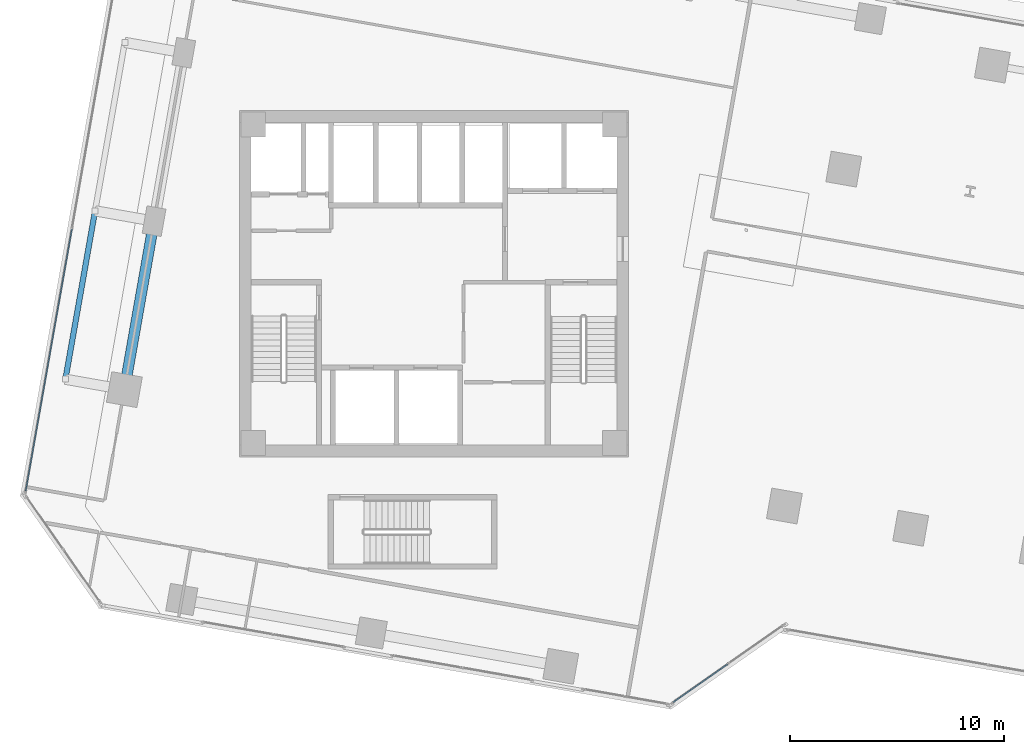
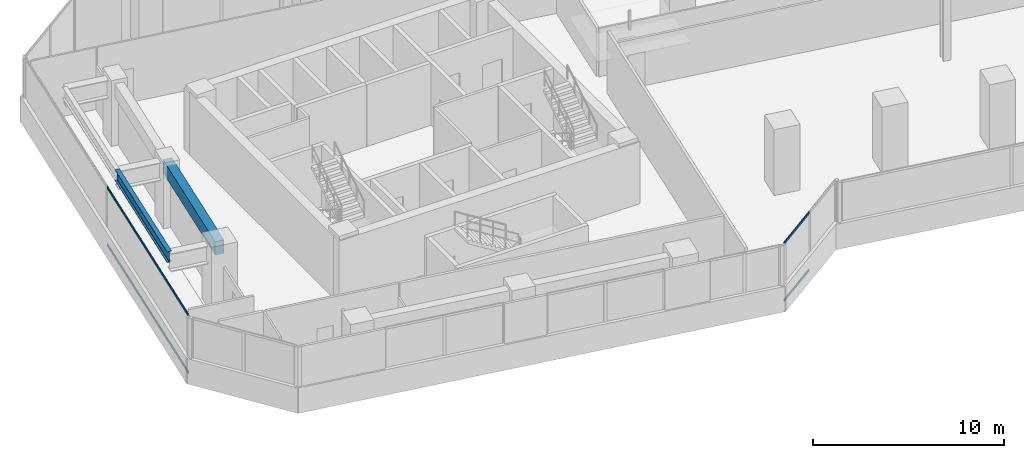
# One storey, part 5 of 24: 4 members, 2 beams, 2 elements without a shape of their own.
"""IFC4 building model written with IfcOpenShell, lengths in metres."""

from ifc_helpers import new_model, si_unit, direction, frame, origin, origin_2d, place, context, subcontext, project, spatial, rectangle, hollow_rectangle, i_section, extrude, source, transform, mapped, material, material_profile, profile_set, type_object, element, aggregate, save


model = new_model("IFC4")

# Units and contexts
model_context = context("Model", 3, precision=1e-05, world=origin(), true_north=direction((0.0, 1.0)))
body_context = subcontext(model_context, "Body", "Model", "MODEL_VIEW")
ifc_project = project(units=[si_unit("LENGTHUNIT", "METRE"), si_unit("AREAUNIT", "SQUARE_METRE"), si_unit("VOLUMEUNIT", "CUBIC_METRE"), si_unit("PLANEANGLEUNIT", "RADIAN"), si_unit("MASSUNIT", "GRAM", prefix="KILO")], contexts=[model_context])

# Site, building, storey
site_placement = place(None, origin())
site = spatial("IfcSite", under=ifc_project, at=site_placement, CompositionType="ELEMENT")
building_placement = place(site_placement, origin())
building = spatial("IfcBuilding", under=site, at=building_placement, Name="Torre Montelarca", CompositionType="ELEMENT")
storey_placement = place(building_placement, frame((0.0, 0.0, 74.800048828125)))
storey = spatial("IfcBuildingStorey", under=building, at=storey_placement, Name="L16", CompositionType="ELEMENT", Elevation=74.800048828125)

# Beams
ifc_material_1 = material(Name="Concrete C55/67", Category="concrete")
ifc_material_profile_1 = material_profile(ifc_material_1, rectangle(XDim=0.5, YDim=0.85009765625, at=origin_2d()), Name="RCB500X850", Category="concrete")
ifc_profile_set_1 = profile_set([ifc_material_profile_1], Name="Concrete C55/67")
beam_type_1 = type_object("IfcBeamType", Name="BM-SP-RC850-EXT", PredefinedType="SPANDREL", material=ifc_profile_set_1)
shared_shape_1 = source(origin(), body_context, "Body", "SweptSolid", [
    extrude(rectangle(XDim=0.5, YDim=0.85009765625, at=origin_2d()), origin(), (0.0, 0.0, 1.0), 8.0),
])
beam_1_placement = place(storey_placement, frame((3.516845703125, 27.047607421875, 3.534912109375), z_axis=(0.173646056486, 0.984808127031, 0.0), x_axis=(-0.984808127031, 0.173646056486, 0.0)))
element("IfcBeam", 1, at=beam_1_placement, inside=storey, type_object=beam_type_1, Name="L16 Grid Girder Y 24.0-32.0 at X=4.7", PredefinedType="SPANDREL", context=body_context, shape_type="MappedRepresentation", body=[
    mapped(shared_shape_1, transform((0.0, 0.0, 0.0), scale=1.0)),
])
ifc_material_2 = material(Name="Steel ASTM A992 Grade 50", Category="steel")
ifc_material_profile_2 = material_profile(ifc_material_2, i_section(OverallWidth=0.256103515625, OverallDepth=0.693115234375, WebThickness=0.014404296875, FlangeThickness=0.023681640625, FilletRadius=0.01806640625, at=origin_2d()), Name="W690X170", Category="steel")
ifc_profile_set_2 = profile_set([ifc_material_profile_2], Name="Steel ASTM A992 Grade 50")
beam_type_2 = type_object("IfcBeamType", Name="BM-G-W690-EXT", PredefinedType="BEAM", material=ifc_profile_set_2)
shared_shape_2 = source(origin(), body_context, "Body", "SweptSolid", [
    extrude(i_section(OverallWidth=0.256103515625, OverallDepth=0.693115234375, WebThickness=0.014404296875, FlangeThickness=0.023681640625, FilletRadius=0.01806640625, at=origin_2d()), origin(), (0.0, 0.0, 1.0), 8.0),
])
beam_2_placement = place(storey_placement, frame((0.75927734375, 27.53369140625, 3.614013671875), z_axis=(0.173646056486, 0.984808127031, 0.0), x_axis=(-0.984808127031, 0.173646056486, 0.0)))
element("IfcBeam", 2, at=beam_2_placement, inside=storey, type_object=beam_type_2, Name="L16 Sliding Tray Edge Girder West 24.0-32.0m (FLR)", PredefinedType="BEAM", context=body_context, shape_type="MappedRepresentation", body=[
    mapped(shared_shape_2, transform((0.0, 0.0, 0.0), scale=1.0)),
])

# Curtain wall, members
ifc_material_3 = material(Name="Insulated low-E laminated glass", Category="glass")
curtain_wall_type = type_object("IfcCurtainWallType", Name="CW-SYS-Z1", PredefinedType="USERDEFINED", material=ifc_material_3)
curtain_wall_1_placement = place(storey_placement, origin())
curtain_wall_1 = element("IfcCurtainWall", 3, at=curtain_wall_1_placement, inside=storey, type_object=curtain_wall_type, Name="L16 Curtain Wall Run CW-T3-L16-E02-B1", ObjectType="UNITISED GLAZING", PredefinedType="USERDEFINED")
ifc_material_4 = material(Name="Anodised aluminium AA 6063-T6", Category="aluminium")
ifc_material_profile_3 = material_profile(ifc_material_4, hollow_rectangle(XDim=0.06494140625, YDim=0.139892578125, WallThickness=0.00390625, InnerFilletRadius=0.00390625, OuterFilletRadius=0.008056640625, at=origin_2d()), Name="ALU65X140X4", Category="aluminium")
ifc_profile_set_3 = profile_set([ifc_material_profile_3], Name="Anodised aluminium AA 6063-T6")
member_type = type_object("IfcMemberType", Name="CWT-ALU140", PredefinedType="USERDEFINED", material=ifc_profile_set_3)
shared_shape_3 = source(origin(), body_context, "Body", "SweptSolid", [
    extrude(hollow_rectangle(XDim=0.06494140625, YDim=0.139892578125, WallThickness=0.00390625, InnerFilletRadius=0.00390625, OuterFilletRadius=0.008056640625, at=origin_2d()), origin(), (0.0, 0.0, 1.0), 3.1025390625),
])
member_1_placement = place(storey_placement, frame((29.1884765625, 12.422607421875, 0.032470703125), z_axis=(0.819157977242, 0.573567963123, 0.0), x_axis=(-0.573567963123, 0.819157977242, 0.0)))
member_1 = element("IfcMember", 4, at=member_1_placement, type_object=member_type, Name="CW transom 1.1", ObjectType="TRANSOM", PredefinedType="USERDEFINED", context=body_context, shape_type="MappedRepresentation", body=[
    mapped(shared_shape_3, transform((0.0, 0.0, 0.0), scale=1.0)),
])
member_2_placement = place(storey_placement, frame((29.1884765625, 12.422607421875, 3.6875), z_axis=(0.819157977242, 0.573567963123, 0.0), x_axis=(-0.573567963123, 0.819157977242, 0.0)))
member_2 = element("IfcMember", 5, at=member_2_placement, type_object=member_type, Name="CW transom 1.2", ObjectType="TRANSOM", PredefinedType="USERDEFINED", context=body_context, shape_type="MappedRepresentation", body=[
    mapped(shared_shape_3, transform((0.0, 0.0, 0.0), scale=1.0)),
])
aggregate(curtain_wall_1, [member_1, member_2])

curtain_wall_2_placement = place(storey_placement, origin())
curtain_wall_2 = element("IfcCurtainWall", 6, at=curtain_wall_2_placement, inside=storey, type_object=curtain_wall_type, Name="L16 Curtain Wall Run CW-T3-L16-E10-B1", ObjectType="UNITISED GLAZING", PredefinedType="USERDEFINED")
shared_shape_4 = source(origin(), body_context, "Body", "SweptSolid", [
    extrude(hollow_rectangle(XDim=0.06494140625, YDim=0.139892578125, WallThickness=0.00390625, InnerFilletRadius=0.00390625, OuterFilletRadius=0.008056640625, at=origin_2d()), origin(), (0.0, 0.0, 1.0), 12.4365234375),
])
member_3_placement = place(storey_placement, frame((1.063232421875, 34.55517578125, 0.032470703125), z_axis=(-0.173636386485, -0.984809832043, 0.0), x_axis=(0.984809832043, -0.173636386485, 0.0)))
member_3 = element("IfcMember", 7, at=member_3_placement, type_object=member_type, Name="CW transom 2.1", ObjectType="TRANSOM", PredefinedType="USERDEFINED", context=body_context, shape_type="MappedRepresentation", body=[
    mapped(shared_shape_4, transform((0.0, 0.0, 0.0), scale=1.0)),
])
member_4_placement = place(storey_placement, frame((1.063232421875, 34.55517578125, 3.6875), z_axis=(-0.173636386485, -0.984809832043, 0.0), x_axis=(0.984809832043, -0.173636386485, 0.0)))
member_4 = element("IfcMember", 8, at=member_4_placement, type_object=member_type, Name="CW transom 2.2", ObjectType="TRANSOM", PredefinedType="USERDEFINED", context=body_context, shape_type="MappedRepresentation", body=[
    mapped(shared_shape_4, transform((0.0, 0.0, 0.0), scale=1.0)),
])
aggregate(curtain_wall_2, [member_3, member_4])

save(model, "model.ifc")
